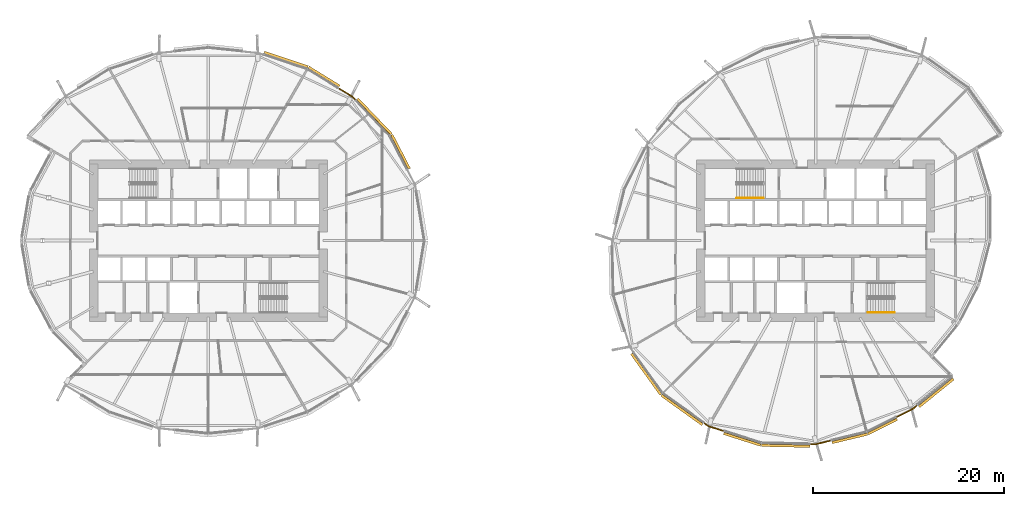
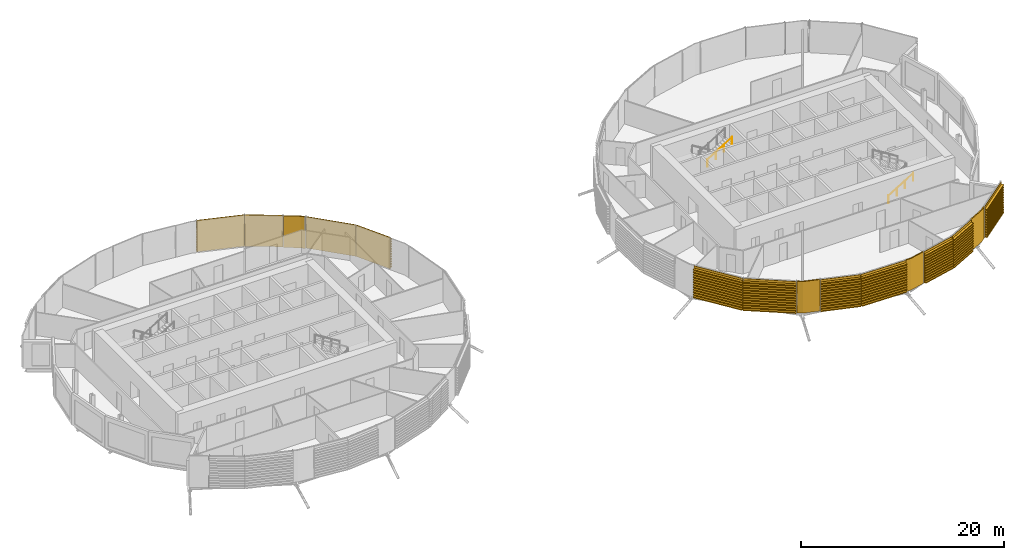
# One storey, part 35 of 37: 15 coverings, 2 railings.
"""IFC4 building model written with IfcOpenShell, lengths in metres."""

from ifc_helpers import new_model, si_unit, direction, frame, origin, origin_2d, place, context, subcontext, project, spatial, polyline, circle, outline, extrude, material, layer, layer_set, material_profile, profile_set, type_object, element, save


model = new_model("IFC4")

# Units and contexts
model_context = context("Model", 3, precision=1e-05, world=origin(), true_north=direction((0.0, 1.0)))
body_context = subcontext(model_context, "Body", "Model", "MODEL_VIEW")
ifc_project = project(units=[si_unit("LENGTHUNIT", "METRE"), si_unit("AREAUNIT", "SQUARE_METRE"), si_unit("VOLUMEUNIT", "CUBIC_METRE"), si_unit("PLANEANGLEUNIT", "RADIAN"), si_unit("MASSUNIT", "GRAM", prefix="KILO")], contexts=[model_context])

# Site, building, storey
site_placement = place(None, origin())
site = spatial("IfcSite", under=ifc_project, at=site_placement, CompositionType="ELEMENT")
building_placement = place(site_placement, origin())
building = spatial("IfcBuilding", under=site, at=building_placement, Name="Rimbun Link Towers", CompositionType="ELEMENT")
storey_placement = place(building_placement, frame((0.0, 0.0, 45.199951171875)))
storey = spatial("IfcBuildingStorey", under=building, at=storey_placement, Name="L10", CompositionType="ELEMENT", Elevation=45.199951171875)

# Coverings
ifc_material_1 = material(Name="Terracotta", Category="masonry")
ifc_layer = layer(ifc_material_1, 0.1201171875)
ifc_layer_set = layer_set([ifc_layer], Name="LINK PIER terracotta cladding 120")
covering_type_1 = type_object("IfcCoveringType", Name="LINK PIER terracotta cladding 120", PredefinedType="CLADDING", material=ifc_layer_set)
covering_1_placement = place(storey_placement, origin())
element("IfcCovering", 1, at=covering_1_placement, inside=storey, type_object=covering_type_1, Name="LINK PIER cladding", PredefinedType="CLADDING", context=body_context, shape_type="SweptSolid", body=[
    extrude(outline(polyline([(-18.159912109375, 15.886962890625), (-16.73681640625, 15.01318359375), (-16.376953125, 14.637939453125), (-16.290283203125, 14.720947265625), (-16.660888671875, 15.107421875), (-18.09716796875, 15.9892578125), (-18.159912109375, 15.886962890625)])), origin(), (0.0, 0.0, 1.0), 3.800048828125),
])
covering_2_placement = place(storey_placement, origin())
element("IfcCovering", 2, at=covering_2_placement, inside=storey, type_object=covering_type_1, Name="LINK PIER cladding", PredefinedType="CLADDING", context=body_context, shape_type="SweptSolid", body=[
    extrude(outline(polyline([(22.212890625, -19.878662109375), (20.573974609375, -19.357421875), (20.11083984375, -19.025146484375), (20.040771484375, -19.122802734375), (20.519287109375, -19.466064453125), (22.1767578125, -19.9931640625), (22.212890625, -19.878662109375)])), origin(), (0.0, 0.0, 1.0), 3.800048828125),
])
covering_3_placement = place(storey_placement, origin())
element("IfcCovering", 3, at=covering_3_placement, inside=storey, type_object=covering_type_1, Name="LINK PIER cladding", PredefinedType="CLADDING", context=body_context, shape_type="SweptSolid", body=[
    extrude(outline(polyline([(33.374267578125, -20.843505859375), (31.75, -21.23193359375), (31.18017578125, -21.219970703125), (31.177490234375, -21.33984375), (31.762939453125, -21.352294921875), (33.402099609375, -20.960205078125), (33.374267578125, -20.843505859375)])), origin(), (0.0, 0.0, 1.0), 3.800048828125),
])
covering_4_placement = place(storey_placement, origin())
element("IfcCovering", 4, at=covering_4_placement, inside=storey, type_object=covering_type_1, Name="LINK PIER cladding", PredefinedType="CLADDING", context=body_context, shape_type="SweptSolid", body=[
    extrude(outline(polyline([(42.3642578125, -17.15966796875), (41.88232421875, -17.5498046875), (40.16650390625, -18.411376953125), (40.220458984375, -18.5185546875), (41.94775390625, -17.651123046875), (42.439697265625, -17.2529296875), (42.3642578125, -17.15966796875)])), origin(), (0.0, 0.0, 1.0), 3.800048828125),
])

# Railings
ifc_material_2 = material(Name="Stainless steel grade 316", Category="steel")
railing_type = type_object("IfcRailingType", Name="Stair handrail", PredefinedType="HANDRAIL", material=ifc_material_2)
for number, where, name in (
    (5, (23.5, 4.449951171875, 2.07275390625), "L10 ST3 stair handrail 2"),
    (6, (37.199951171875, -7.5, 0.1728515625), "L10 ST4 stair handrail 1"),
):
    element("IfcRailing", number, at=place(storey_placement, frame(where)), inside=storey, type_object=railing_type, Name=name, PredefinedType="HANDRAIL", context=body_context, shape_type="SweptSolid", body=[
        extrude(circle(Radius=0.02392578125, at=origin_2d()), frame((0.0, 0.0, 0.8759765625), z_axis=(0.851089632645, 0.0, 0.525020415988), x_axis=(0.0, 1.0, 0.0)), (0.0, 0.0, 1.0), 3.2900390625),
        extrude(circle(Radius=0.02099609375, at=origin_2d()), origin(), (0.0, 0.0, 1.0), 0.851806640625),
        extrude(circle(Radius=0.02099609375, at=origin_2d()), frame((0.933349609375, 0.0, 0.57568359375)), (0.0, 0.0, 1.0), 0.851806640625),
        extrude(circle(Radius=0.02099609375, at=origin_2d()), frame((1.86669921875, 0.0, 1.151611328125)), (0.0, 0.0, 1.0), 0.851806640625),
        extrude(circle(Radius=0.02099609375, at=origin_2d()), frame((2.800048828125, 0.0, 1.727294921875)), (0.0, 0.0, 1.0), 0.851806640625),
    ])

# Coverings
ifc_material_3 = material(Name="Terracotta", Category="masonry")
ifc_material_profile = material_profile(ifc_material_3, outline(polyline([(0.123046875, 0.0), (0.1630859375, 0.0), (0.1630859375, 0.10009765625), (0.423095703125, 0.10009765625), (0.423095703125, 0.219970703125), (0.1630859375, 0.219970703125), (0.1630859375, 0.39990234375), (0.423095703125, 0.39990234375), (0.423095703125, 0.52001953125), (0.1630859375, 0.52001953125), (0.1630859375, 0.699951171875), (0.423095703125, 0.699951171875), (0.423095703125, 0.820068359375), (0.1630859375, 0.820068359375), (0.1630859375, 1.0), (0.423095703125, 1.0), (0.423095703125, 1.1201171875), (0.1630859375, 1.1201171875), (0.1630859375, 1.300048828125), (0.423095703125, 1.300048828125), (0.423095703125, 1.419921875), (0.1630859375, 1.419921875), (0.1630859375, 1.60009765625), (0.423095703125, 1.60009765625), (0.423095703125, 1.719970703125), (0.1630859375, 1.719970703125), (0.1630859375, 1.89990234375), (0.423095703125, 1.89990234375), (0.423095703125, 2.02001953125), (0.1630859375, 2.02001953125), (0.1630859375, 2.199951171875), (0.423095703125, 2.199951171875), (0.423095703125, 2.320068359375), (0.1630859375, 2.320068359375), (0.1630859375, 2.5), (0.423095703125, 2.5), (0.423095703125, 2.6201171875), (0.1630859375, 2.6201171875), (0.1630859375, 2.800048828125), (0.423095703125, 2.800048828125), (0.423095703125, 2.919921875), (0.1630859375, 2.919921875), (0.1630859375, 3.10009765625), (0.423095703125, 3.10009765625), (0.423095703125, 3.219970703125), (0.1630859375, 3.219970703125), (0.1630859375, 3.39990234375), (0.423095703125, 3.39990234375), (0.423095703125, 3.52001953125), (0.1630859375, 3.52001953125), (0.1630859375, 3.800048828125), (0.123046875, 3.800048828125), (0.123046875, 0.0)])), Name="BAGUETTE 120X300")
ifc_profile_set = profile_set([ifc_material_profile], Name="Terracotta")
covering_type_2 = type_object("IfcCoveringType", Name="TERRACOTTA BAGUETTE 120X300 H3800", PredefinedType="CLADDING", material=ifc_profile_set)
covering_5_placement = place(storey_placement, frame((-12.82080078125, 10.9287109375, 0.0), z_axis=(0.459502792703, -0.888176324554, 0.0), x_axis=(0.888176324554, 0.459502792703, 0.0)))
element("IfcCovering", 7, at=covering_5_placement, inside=storey, type_object=covering_type_2, Name="TERRACOTTA BAGUETTE", PredefinedType="CLADDING", context=body_context, shape_type="SweptSolid", body=[
    extrude(outline(polyline([(0.123046875, 0.0), (0.1630859375, 0.0), (0.1630859375, 0.10009765625), (0.423095703125, 0.10009765625), (0.423095703125, 0.219970703125), (0.1630859375, 0.219970703125), (0.1630859375, 0.39990234375), (0.423095703125, 0.39990234375), (0.423095703125, 0.52001953125), (0.1630859375, 0.52001953125), (0.1630859375, 0.699951171875), (0.423095703125, 0.699951171875), (0.423095703125, 0.820068359375), (0.1630859375, 0.820068359375), (0.1630859375, 1.0), (0.423095703125, 1.0), (0.423095703125, 1.1201171875), (0.1630859375, 1.1201171875), (0.1630859375, 1.300048828125), (0.423095703125, 1.300048828125), (0.423095703125, 1.419921875), (0.1630859375, 1.419921875), (0.1630859375, 1.60009765625), (0.423095703125, 1.60009765625), (0.423095703125, 1.719970703125), (0.1630859375, 1.719970703125), (0.1630859375, 1.89990234375), (0.423095703125, 1.89990234375), (0.423095703125, 2.02001953125), (0.1630859375, 2.02001953125), (0.1630859375, 2.199951171875), (0.423095703125, 2.199951171875), (0.423095703125, 2.320068359375), (0.1630859375, 2.320068359375), (0.1630859375, 2.5), (0.423095703125, 2.5), (0.423095703125, 2.6201171875), (0.1630859375, 2.6201171875), (0.1630859375, 2.800048828125), (0.423095703125, 2.800048828125), (0.423095703125, 2.919921875), (0.1630859375, 2.919921875), (0.1630859375, 3.10009765625), (0.423095703125, 3.10009765625), (0.423095703125, 3.219970703125), (0.1630859375, 3.219970703125), (0.1630859375, 3.39990234375), (0.423095703125, 3.39990234375), (0.423095703125, 3.52001953125), (0.1630859375, 3.52001953125), (0.1630859375, 3.800048828125), (0.123046875, 3.800048828125), (0.123046875, 0.0)])), origin(), (0.0, 0.0, 1.0), 3.9912109375),
])
covering_6_placement = place(storey_placement, frame((-16.356201171875, 14.6162109375, 0.0), z_axis=(0.692063122266, -0.721836986306, 0.0), x_axis=(0.721836986306, 0.692063122266, 0.0)))
element("IfcCovering", 8, at=covering_6_placement, inside=storey, type_object=covering_type_2, Name="TERRACOTTA BAGUETTE", PredefinedType="CLADDING", context=body_context, shape_type="SweptSolid", body=[
    extrude(outline(polyline([(0.123046875, 0.0), (0.1630859375, 0.0), (0.1630859375, 0.10009765625), (0.423095703125, 0.10009765625), (0.423095703125, 0.219970703125), (0.1630859375, 0.219970703125), (0.1630859375, 0.39990234375), (0.423095703125, 0.39990234375), (0.423095703125, 0.52001953125), (0.1630859375, 0.52001953125), (0.1630859375, 0.699951171875), (0.423095703125, 0.699951171875), (0.423095703125, 0.820068359375), (0.1630859375, 0.820068359375), (0.1630859375, 1.0), (0.423095703125, 1.0), (0.423095703125, 1.1201171875), (0.1630859375, 1.1201171875), (0.1630859375, 1.300048828125), (0.423095703125, 1.300048828125), (0.423095703125, 1.419921875), (0.1630859375, 1.419921875), (0.1630859375, 1.60009765625), (0.423095703125, 1.60009765625), (0.423095703125, 1.719970703125), (0.1630859375, 1.719970703125), (0.1630859375, 1.89990234375), (0.423095703125, 1.89990234375), (0.423095703125, 2.02001953125), (0.1630859375, 2.02001953125), (0.1630859375, 2.199951171875), (0.423095703125, 2.199951171875), (0.423095703125, 2.320068359375), (0.1630859375, 2.320068359375), (0.1630859375, 2.5), (0.423095703125, 2.5), (0.423095703125, 2.6201171875), (0.1630859375, 2.6201171875), (0.1630859375, 2.800048828125), (0.423095703125, 2.800048828125), (0.423095703125, 2.919921875), (0.1630859375, 2.919921875), (0.1630859375, 3.10009765625), (0.423095703125, 3.10009765625), (0.423095703125, 3.219970703125), (0.1630859375, 3.219970703125), (0.1630859375, 3.39990234375), (0.423095703125, 3.39990234375), (0.423095703125, 3.52001953125), (0.1630859375, 3.52001953125), (0.1630859375, 3.800048828125), (0.123046875, 3.800048828125), (0.123046875, 0.0)])), origin(), (0.0, 0.0, 1.0), 5.1083984375),
])
covering_7_placement = place(storey_placement, frame((-21.42138671875, 17.8896484375, 0.0), z_axis=(0.852154627226, -0.523290064206, 0.0), x_axis=(0.523290064206, 0.852154627226, 0.0)))
element("IfcCovering", 9, at=covering_7_placement, inside=storey, type_object=covering_type_2, Name="TERRACOTTA BAGUETTE", PredefinedType="CLADDING", context=body_context, shape_type="SweptSolid", body=[
    extrude(outline(polyline([(0.123046875, 0.0), (0.1630859375, 0.0), (0.1630859375, 0.10009765625), (0.423095703125, 0.10009765625), (0.423095703125, 0.219970703125), (0.1630859375, 0.219970703125), (0.1630859375, 0.39990234375), (0.423095703125, 0.39990234375), (0.423095703125, 0.52001953125), (0.1630859375, 0.52001953125), (0.1630859375, 0.699951171875), (0.423095703125, 0.699951171875), (0.423095703125, 0.820068359375), (0.1630859375, 0.820068359375), (0.1630859375, 1.0), (0.423095703125, 1.0), (0.423095703125, 1.1201171875), (0.1630859375, 1.1201171875), (0.1630859375, 1.300048828125), (0.423095703125, 1.300048828125), (0.423095703125, 1.419921875), (0.1630859375, 1.419921875), (0.1630859375, 1.60009765625), (0.423095703125, 1.60009765625), (0.423095703125, 1.719970703125), (0.1630859375, 1.719970703125), (0.1630859375, 1.89990234375), (0.423095703125, 1.89990234375), (0.423095703125, 2.02001953125), (0.1630859375, 2.02001953125), (0.1630859375, 2.199951171875), (0.423095703125, 2.199951171875), (0.423095703125, 2.320068359375), (0.1630859375, 2.320068359375), (0.1630859375, 2.5), (0.423095703125, 2.5), (0.423095703125, 2.6201171875), (0.1630859375, 2.6201171875), (0.1630859375, 2.800048828125), (0.423095703125, 2.800048828125), (0.423095703125, 2.919921875), (0.1630859375, 2.919921875), (0.1630859375, 3.10009765625), (0.423095703125, 3.10009765625), (0.423095703125, 3.219970703125), (0.1630859375, 3.219970703125), (0.1630859375, 3.39990234375), (0.423095703125, 3.39990234375), (0.423095703125, 3.52001953125), (0.1630859375, 3.52001953125), (0.1630859375, 3.800048828125), (0.123046875, 3.800048828125), (0.123046875, 0.0)])), origin(), (0.0, 0.0, 1.0), 3.79736328125),
])
covering_8_placement = place(storey_placement, frame((-25.98291015625, 19.401123046875, 0.0), z_axis=(0.949245728051, -0.314535447568, 0.0), x_axis=(0.314535447568, 0.949245728051, 0.0)))
element("IfcCovering", 10, at=covering_8_placement, inside=storey, type_object=covering_type_2, Name="TERRACOTTA BAGUETTE", PredefinedType="CLADDING", context=body_context, shape_type="SweptSolid", body=[
    extrude(outline(polyline([(0.123046875, 0.0), (0.1630859375, 0.0), (0.1630859375, 0.10009765625), (0.423095703125, 0.10009765625), (0.423095703125, 0.219970703125), (0.1630859375, 0.219970703125), (0.1630859375, 0.39990234375), (0.423095703125, 0.39990234375), (0.423095703125, 0.52001953125), (0.1630859375, 0.52001953125), (0.1630859375, 0.699951171875), (0.423095703125, 0.699951171875), (0.423095703125, 0.820068359375), (0.1630859375, 0.820068359375), (0.1630859375, 1.0), (0.423095703125, 1.0), (0.423095703125, 1.1201171875), (0.1630859375, 1.1201171875), (0.1630859375, 1.300048828125), (0.423095703125, 1.300048828125), (0.423095703125, 1.419921875), (0.1630859375, 1.419921875), (0.1630859375, 1.60009765625), (0.423095703125, 1.60009765625), (0.423095703125, 1.719970703125), (0.1630859375, 1.719970703125), (0.1630859375, 1.89990234375), (0.423095703125, 1.89990234375), (0.423095703125, 2.02001953125), (0.1630859375, 2.02001953125), (0.1630859375, 2.199951171875), (0.423095703125, 2.199951171875), (0.423095703125, 2.320068359375), (0.1630859375, 2.320068359375), (0.1630859375, 2.5), (0.423095703125, 2.5), (0.423095703125, 2.6201171875), (0.1630859375, 2.6201171875), (0.1630859375, 2.800048828125), (0.423095703125, 2.800048828125), (0.423095703125, 2.919921875), (0.1630859375, 2.919921875), (0.1630859375, 3.10009765625), (0.423095703125, 3.10009765625), (0.423095703125, 3.219970703125), (0.1630859375, 3.219970703125), (0.1630859375, 3.39990234375), (0.423095703125, 3.39990234375), (0.423095703125, 3.52001953125), (0.1630859375, 3.52001953125), (0.1630859375, 3.800048828125), (0.123046875, 3.800048828125), (0.123046875, 0.0)])), origin(), (0.0, 0.0, 1.0), 4.805419921875),
])
for number, where, z_axis, x_axis, name in (
    (11, (15.810546875, -15.939453125, 0.0), (-0.583018393391, 0.812458954635, 0.0), (-0.812458954635, -0.583018393391, 0.0), "TERRACOTTA BAGUETTE"),
    (12, (20.08642578125, -19.0078125, 0.0), (-0.812458954635, 0.583018393391, 0.0), (-0.583018393391, -0.812458954635, 0.0), "TERRACOTTA BAGUETTE"),
):
    element("IfcCovering", number, at=place(storey_placement, frame(where, z_axis=z_axis, x_axis=x_axis)), inside=storey, type_object=covering_type_2, Name=name, PredefinedType="CLADDING", context=body_context, shape_type="SweptSolid", body=[
        extrude(outline(polyline([(0.123046875, 0.0), (0.1630859375, 0.0), (0.1630859375, 0.10009765625), (0.423095703125, 0.10009765625), (0.423095703125, 0.219970703125), (0.1630859375, 0.219970703125), (0.1630859375, 0.39990234375), (0.423095703125, 0.39990234375), (0.423095703125, 0.52001953125), (0.1630859375, 0.52001953125), (0.1630859375, 0.699951171875), (0.423095703125, 0.699951171875), (0.423095703125, 0.820068359375), (0.1630859375, 0.820068359375), (0.1630859375, 1.0), (0.423095703125, 1.0), (0.423095703125, 1.1201171875), (0.1630859375, 1.1201171875), (0.1630859375, 1.300048828125), (0.423095703125, 1.300048828125), (0.423095703125, 1.419921875), (0.1630859375, 1.419921875), (0.1630859375, 1.60009765625), (0.423095703125, 1.60009765625), (0.423095703125, 1.719970703125), (0.1630859375, 1.719970703125), (0.1630859375, 1.89990234375), (0.423095703125, 1.89990234375), (0.423095703125, 2.02001953125), (0.1630859375, 2.02001953125), (0.1630859375, 2.199951171875), (0.423095703125, 2.199951171875), (0.423095703125, 2.320068359375), (0.1630859375, 2.320068359375), (0.1630859375, 2.5), (0.423095703125, 2.5), (0.423095703125, 2.6201171875), (0.1630859375, 2.6201171875), (0.1630859375, 2.800048828125), (0.423095703125, 2.800048828125), (0.423095703125, 2.919921875), (0.1630859375, 2.919921875), (0.1630859375, 3.10009765625), (0.423095703125, 3.10009765625), (0.423095703125, 3.219970703125), (0.1630859375, 3.219970703125), (0.1630859375, 3.39990234375), (0.423095703125, 3.39990234375), (0.423095703125, 3.52001953125), (0.1630859375, 3.52001953125), (0.1630859375, 3.800048828125), (0.123046875, 3.800048828125), (0.123046875, 0.0)])), origin(), (0.0, 0.0, 1.0), 5.262939453125),
    ])
covering_9_placement = place(storey_placement, frame((26.093017578125, -21.11279296875, 0.0), z_axis=(-0.952966233696, 0.303076487763, 0.0), x_axis=(-0.303076487763, -0.952966233696, 0.0)))
element("IfcCovering", 13, at=covering_9_placement, inside=storey, type_object=covering_type_2, Name="TERRACOTTA BAGUETTE", PredefinedType="CLADDING", context=body_context, shape_type="SweptSolid", body=[
    extrude(outline(polyline([(0.123046875, 0.0), (0.1630859375, 0.0), (0.1630859375, 0.10009765625), (0.423095703125, 0.10009765625), (0.423095703125, 0.219970703125), (0.1630859375, 0.219970703125), (0.1630859375, 0.39990234375), (0.423095703125, 0.39990234375), (0.423095703125, 0.52001953125), (0.1630859375, 0.52001953125), (0.1630859375, 0.699951171875), (0.423095703125, 0.699951171875), (0.423095703125, 0.820068359375), (0.1630859375, 0.820068359375), (0.1630859375, 1.0), (0.423095703125, 1.0), (0.423095703125, 1.1201171875), (0.1630859375, 1.1201171875), (0.1630859375, 1.300048828125), (0.423095703125, 1.300048828125), (0.423095703125, 1.419921875), (0.1630859375, 1.419921875), (0.1630859375, 1.60009765625), (0.423095703125, 1.60009765625), (0.423095703125, 1.719970703125), (0.1630859375, 1.719970703125), (0.1630859375, 1.89990234375), (0.423095703125, 1.89990234375), (0.423095703125, 2.02001953125), (0.1630859375, 2.02001953125), (0.1630859375, 2.199951171875), (0.423095703125, 2.199951171875), (0.423095703125, 2.320068359375), (0.1630859375, 2.320068359375), (0.1630859375, 2.5), (0.423095703125, 2.5), (0.423095703125, 2.6201171875), (0.1630859375, 2.6201171875), (0.1630859375, 2.800048828125), (0.423095703125, 2.800048828125), (0.423095703125, 2.919921875), (0.1630859375, 2.919921875), (0.1630859375, 3.10009765625), (0.423095703125, 3.10009765625), (0.423095703125, 3.219970703125), (0.1630859375, 3.219970703125), (0.1630859375, 3.39990234375), (0.423095703125, 3.39990234375), (0.423095703125, 3.52001953125), (0.1630859375, 3.52001953125), (0.1630859375, 3.800048828125), (0.123046875, 3.800048828125), (0.123046875, 0.0)])), origin(), (0.0, 0.0, 1.0), 4.04150390625),
])
covering_10_placement = place(storey_placement, frame((31.150146484375, -21.21923828125, 0.0), z_axis=(-0.999778552511, 0.021043905035, 0.0), x_axis=(-0.021043905035, -0.999778552511, 0.0)))
element("IfcCovering", 14, at=covering_10_placement, inside=storey, type_object=covering_type_2, Name="TERRACOTTA BAGUETTE", PredefinedType="CLADDING", context=body_context, shape_type="SweptSolid", body=[
    extrude(outline(polyline([(0.123046875, 0.0), (0.1630859375, 0.0), (0.1630859375, 0.10009765625), (0.423095703125, 0.10009765625), (0.423095703125, 0.219970703125), (0.1630859375, 0.219970703125), (0.1630859375, 0.39990234375), (0.423095703125, 0.39990234375), (0.423095703125, 0.52001953125), (0.1630859375, 0.52001953125), (0.1630859375, 0.699951171875), (0.423095703125, 0.699951171875), (0.423095703125, 0.820068359375), (0.1630859375, 0.820068359375), (0.1630859375, 1.0), (0.423095703125, 1.0), (0.423095703125, 1.1201171875), (0.1630859375, 1.1201171875), (0.1630859375, 1.300048828125), (0.423095703125, 1.300048828125), (0.423095703125, 1.419921875), (0.1630859375, 1.419921875), (0.1630859375, 1.60009765625), (0.423095703125, 1.60009765625), (0.423095703125, 1.719970703125), (0.1630859375, 1.719970703125), (0.1630859375, 1.89990234375), (0.423095703125, 1.89990234375), (0.423095703125, 2.02001953125), (0.1630859375, 2.02001953125), (0.1630859375, 2.199951171875), (0.423095703125, 2.199951171875), (0.423095703125, 2.320068359375), (0.1630859375, 2.320068359375), (0.1630859375, 2.5), (0.423095703125, 2.5), (0.423095703125, 2.6201171875), (0.1630859375, 2.6201171875), (0.1630859375, 2.800048828125), (0.423095703125, 2.800048828125), (0.423095703125, 2.919921875), (0.1630859375, 2.919921875), (0.1630859375, 3.10009765625), (0.423095703125, 3.10009765625), (0.423095703125, 3.219970703125), (0.1630859375, 3.219970703125), (0.1630859375, 3.39990234375), (0.423095703125, 3.39990234375), (0.423095703125, 3.52001953125), (0.1630859375, 3.52001953125), (0.1630859375, 3.800048828125), (0.123046875, 3.800048828125), (0.123046875, 0.0)])), origin(), (0.0, 0.0, 1.0), 5.058349609375),
])
covering_11_placement = place(storey_placement, frame((37.096435546875, -19.953125, 0.0), z_axis=(-0.972569090114, -0.232614197662, 0.0), x_axis=(0.232614197662, -0.972569090114, 0.0)))
element("IfcCovering", 15, at=covering_11_placement, inside=storey, type_object=covering_type_2, Name="TERRACOTTA BAGUETTE", PredefinedType="CLADDING", context=body_context, shape_type="SweptSolid", body=[
    extrude(outline(polyline([(0.123046875, 0.0), (0.1630859375, 0.0), (0.1630859375, 0.10009765625), (0.423095703125, 0.10009765625), (0.423095703125, 0.219970703125), (0.1630859375, 0.219970703125), (0.1630859375, 0.39990234375), (0.423095703125, 0.39990234375), (0.423095703125, 0.52001953125), (0.1630859375, 0.52001953125), (0.1630859375, 0.699951171875), (0.423095703125, 0.699951171875), (0.423095703125, 0.820068359375), (0.1630859375, 0.820068359375), (0.1630859375, 1.0), (0.423095703125, 1.0), (0.423095703125, 1.1201171875), (0.1630859375, 1.1201171875), (0.1630859375, 1.300048828125), (0.423095703125, 1.300048828125), (0.423095703125, 1.419921875), (0.1630859375, 1.419921875), (0.1630859375, 1.60009765625), (0.423095703125, 1.60009765625), (0.423095703125, 1.719970703125), (0.1630859375, 1.719970703125), (0.1630859375, 1.89990234375), (0.423095703125, 1.89990234375), (0.423095703125, 2.02001953125), (0.1630859375, 2.02001953125), (0.1630859375, 2.199951171875), (0.423095703125, 2.199951171875), (0.423095703125, 2.320068359375), (0.1630859375, 2.320068359375), (0.1630859375, 2.5), (0.423095703125, 2.5), (0.423095703125, 2.6201171875), (0.1630859375, 2.6201171875), (0.1630859375, 2.800048828125), (0.423095703125, 2.800048828125), (0.423095703125, 2.919921875), (0.1630859375, 2.919921875), (0.1630859375, 3.10009765625), (0.423095703125, 3.10009765625), (0.423095703125, 3.219970703125), (0.1630859375, 3.219970703125), (0.1630859375, 3.39990234375), (0.423095703125, 3.39990234375), (0.423095703125, 3.52001953125), (0.1630859375, 3.52001953125), (0.1630859375, 3.800048828125), (0.123046875, 3.800048828125), (0.123046875, 0.0)])), origin(), (0.0, 0.0, 1.0), 3.79736328125),
])
covering_12_placement = place(storey_placement, frame((40.139892578125, -18.4248046875, 0.0), z_axis=(-0.893651629771, -0.448761367108, 0.0), x_axis=(0.448761367108, -0.893651629771, 0.0)))
element("IfcCovering", 16, at=covering_12_placement, inside=storey, type_object=covering_type_2, Name="TERRACOTTA BAGUETTE", PredefinedType="CLADDING", context=body_context, shape_type="SweptSolid", body=[
    extrude(outline(polyline([(0.123046875, 0.0), (0.1630859375, 0.0), (0.1630859375, 0.10009765625), (0.423095703125, 0.10009765625), (0.423095703125, 0.219970703125), (0.1630859375, 0.219970703125), (0.1630859375, 0.39990234375), (0.423095703125, 0.39990234375), (0.423095703125, 0.52001953125), (0.1630859375, 0.52001953125), (0.1630859375, 0.699951171875), (0.423095703125, 0.699951171875), (0.423095703125, 0.820068359375), (0.1630859375, 0.820068359375), (0.1630859375, 1.0), (0.423095703125, 1.0), (0.423095703125, 1.1201171875), (0.1630859375, 1.1201171875), (0.1630859375, 1.300048828125), (0.423095703125, 1.300048828125), (0.423095703125, 1.419921875), (0.1630859375, 1.419921875), (0.1630859375, 1.60009765625), (0.423095703125, 1.60009765625), (0.423095703125, 1.719970703125), (0.1630859375, 1.719970703125), (0.1630859375, 1.89990234375), (0.423095703125, 1.89990234375), (0.423095703125, 2.02001953125), (0.1630859375, 2.02001953125), (0.1630859375, 2.199951171875), (0.423095703125, 2.199951171875), (0.423095703125, 2.320068359375), (0.1630859375, 2.320068359375), (0.1630859375, 2.5), (0.423095703125, 2.5), (0.423095703125, 2.6201171875), (0.1630859375, 2.6201171875), (0.1630859375, 2.800048828125), (0.423095703125, 2.800048828125), (0.423095703125, 2.919921875), (0.1630859375, 2.919921875), (0.1630859375, 3.10009765625), (0.423095703125, 3.10009765625), (0.423095703125, 3.219970703125), (0.1630859375, 3.219970703125), (0.1630859375, 3.39990234375), (0.423095703125, 3.39990234375), (0.423095703125, 3.52001953125), (0.1630859375, 3.52001953125), (0.1630859375, 3.800048828125), (0.123046875, 3.800048828125), (0.123046875, 0.0)])), origin(), (0.0, 0.0, 1.0), 3.40576171875),
])
covering_13_placement = place(storey_placement, frame((45.981689453125, -14.231689453125, 0.0), z_axis=(-0.777270691486, -0.629166331074, 0.0), x_axis=(0.629166331074, -0.777270691486, 0.0)))
element("IfcCovering", 17, at=covering_13_placement, inside=storey, type_object=covering_type_2, Name="TERRACOTTA BAGUETTE", PredefinedType="CLADDING", context=body_context, shape_type="SweptSolid", body=[
    extrude(outline(polyline([(0.123046875, 0.0), (0.1630859375, 0.0), (0.1630859375, 0.10009765625), (0.423095703125, 0.10009765625), (0.423095703125, 0.219970703125), (0.1630859375, 0.219970703125), (0.1630859375, 0.39990234375), (0.423095703125, 0.39990234375), (0.423095703125, 0.52001953125), (0.1630859375, 0.52001953125), (0.1630859375, 0.699951171875), (0.423095703125, 0.699951171875), (0.423095703125, 0.820068359375), (0.1630859375, 0.820068359375), (0.1630859375, 1.0), (0.423095703125, 1.0), (0.423095703125, 1.1201171875), (0.1630859375, 1.1201171875), (0.1630859375, 1.300048828125), (0.423095703125, 1.300048828125), (0.423095703125, 1.419921875), (0.1630859375, 1.419921875), (0.1630859375, 1.60009765625), (0.423095703125, 1.60009765625), (0.423095703125, 1.719970703125), (0.1630859375, 1.719970703125), (0.1630859375, 1.89990234375), (0.423095703125, 1.89990234375), (0.423095703125, 2.02001953125), (0.1630859375, 2.02001953125), (0.1630859375, 2.199951171875), (0.423095703125, 2.199951171875), (0.423095703125, 2.320068359375), (0.1630859375, 2.320068359375), (0.1630859375, 2.5), (0.423095703125, 2.5), (0.423095703125, 2.6201171875), (0.1630859375, 2.6201171875), (0.1630859375, 2.800048828125), (0.423095703125, 2.800048828125), (0.423095703125, 2.919921875), (0.1630859375, 2.919921875), (0.1630859375, 3.10009765625), (0.423095703125, 3.10009765625), (0.423095703125, 3.219970703125), (0.1630859375, 3.219970703125), (0.1630859375, 3.39990234375), (0.423095703125, 3.39990234375), (0.423095703125, 3.52001953125), (0.1630859375, 3.52001953125), (0.1630859375, 3.800048828125), (0.123046875, 3.800048828125), (0.123046875, 0.0)])), origin(), (0.0, 0.0, 1.0), 4.623779296875),
])

save(model, "model.ifc")
